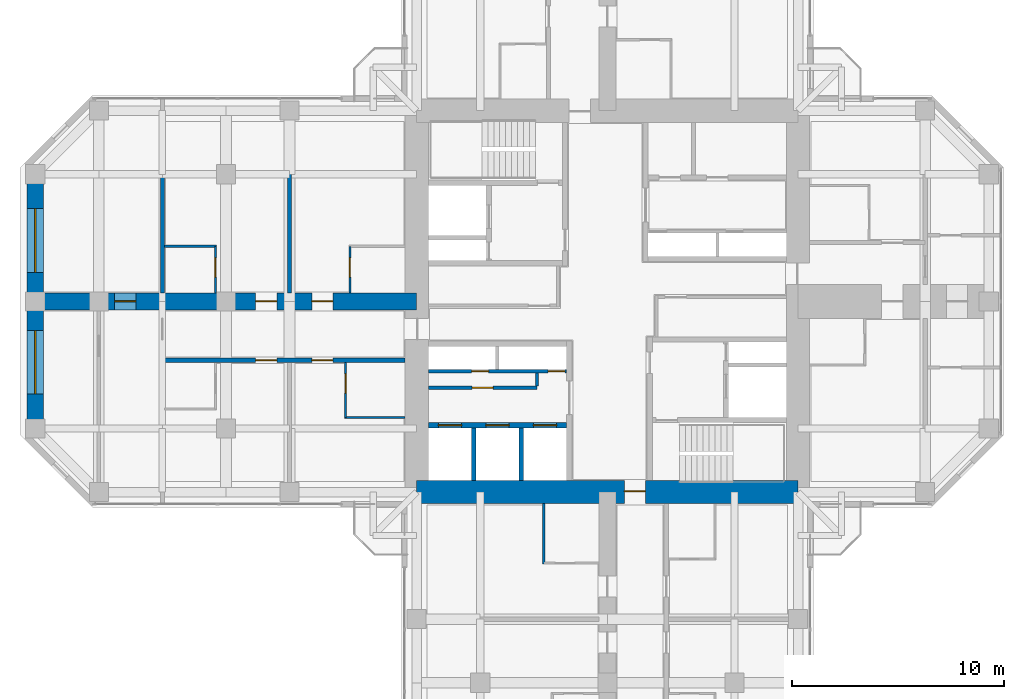
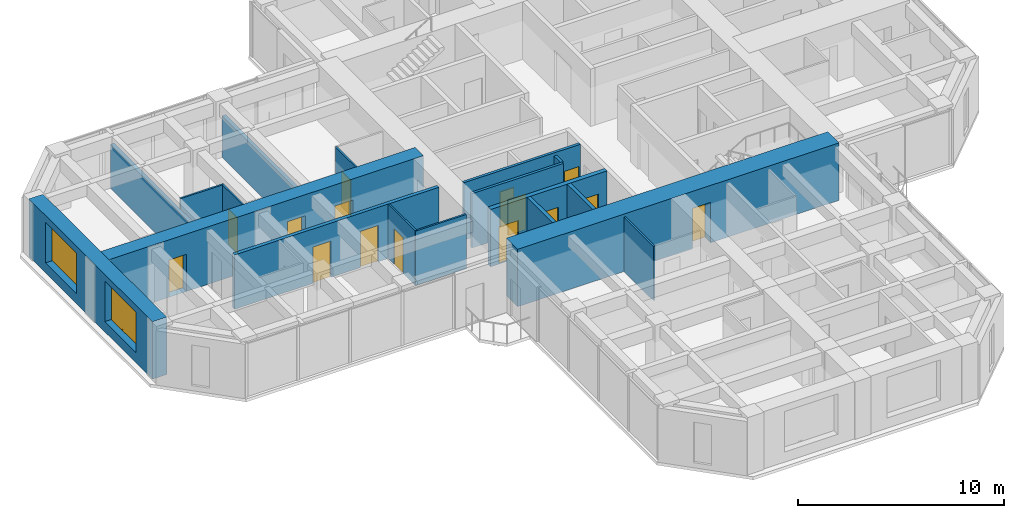
# One storey, part 9 of 14: 18 walls, 15 doors, 2 windows, 17 openings.
"""IFC4 building model written with IfcOpenShell, lengths in metres."""

import ifcopenshell
import ifcopenshell.guid

model = None  # the IFC model being written
_history = None  # IfcOwnerHistory: only IFC2X3 demands one
_inside = {}  # id of a spatial element -> (the spatial element, [elements in it])
_under = {}  # id of a project, library or spatial element -> (it, [spatial elements below it])
_declared = {}  # id of a project -> (the project, [libraries it declares])
_typed = {}  # id of a type object -> (the type object, [elements of that type])
_made_of = {}  # id of a material, layer set ... -> (it, [elements and type objects made of it])


def new_model(schema):
    """Start an empty IFC model of exactly this schema.

    Asked for "IFC4X3", IfcOpenShell would pick the latest addendum, in which some entities
    have other attributes; the version numbers below select the first issue.
    IFC2X3 requires an IfcOwnerHistory on every rooted entity: one is made here for all.
    """
    global model, _history
    if schema == "IFC4X3":
        model = ifcopenshell.file(schema_version=(4, 3, 0, 0))
    else:
        model = ifcopenshell.file(schema=schema)
    _inside.clear()
    _under.clear()
    _declared.clear()
    _typed.clear()
    _made_of.clear()
    _history = None
    if model.schema == "IFC2X3":
        org = make("IfcOrganization", Name="unknown")
        user = make(
            "IfcPersonAndOrganization",
            ThePerson=make("IfcPerson", FamilyName="unknown"),
            TheOrganization=org,
        )
        app = make(
            "IfcApplication",
            ApplicationDeveloper=org,
            Version="unknown",
            ApplicationFullName="unknown",
            ApplicationIdentifier="unknown",
        )
        _history = make(
            "IfcOwnerHistory",
            OwningUser=user,
            OwningApplication=app,
            ChangeAction="ADDED",
            CreationDate=0,
        )
    return model


def make(cls, **values):
    """One entity of the class cls with the attributes given. An attribute that is None is left unset."""
    return model.create_entity(
        cls, **{name: value for name, value in values.items() if value is not None}
    )


def rooted(cls, **values):
    """An entity with a GlobalId (a new one), such as an element, a storey or a relation."""
    return make(cls, GlobalId=ifcopenshell.guid.new(), OwnerHistory=_history, **values)


def si_unit(unit_type, name, prefix=None):
    """IfcSIUnit, for example si_unit("LENGTHUNIT", "METRE", prefix="MILLI")."""
    return make("IfcSIUnit", UnitType=unit_type, Prefix=prefix, Name=name)


def assignment(units):
    """IfcUnitAssignment: the units of a project."""
    return None if units is None else make("IfcUnitAssignment", Units=units)


def point(xyz):
    """IfcCartesianPoint."""
    return None if xyz is None else make("IfcCartesianPoint", Coordinates=xyz)


def direction(xyz):
    """IfcDirection."""
    return None if xyz is None else make("IfcDirection", DirectionRatios=xyz)


def frame(location, z_axis=None, x_axis=None):
    """IfcAxis2Placement3D, a coordinate frame: its origin and axes. An axis left out is left unset."""
    return make(
        "IfcAxis2Placement3D",
        Location=point(location),
        Axis=direction(z_axis),
        RefDirection=direction(x_axis),
    )


def frame_2d(location, x_axis=None):
    """IfcAxis2Placement2D, a coordinate frame in the plane: its origin and x axis."""
    return make(
        "IfcAxis2Placement2D", Location=point(location), RefDirection=direction(x_axis)
    )


def origin():
    """The frame at (0, 0, 0) with its axes left unset."""
    return frame((0.0, 0.0, 0.0))


def place(relative_to, where):
    """IfcLocalPlacement: puts the frame where relative to a parent placement (None: the world)."""
    return make(
        "IfcLocalPlacement", PlacementRelTo=relative_to, RelativePlacement=where
    )


def context(
    kind, dimensions, precision=None, world=None, true_north=None, identifier=None
):
    """IfcGeometricRepresentationContext, for example the 3D "Model" context."""
    return make(
        "IfcGeometricRepresentationContext",
        ContextIdentifier=identifier,
        ContextType=kind,
        CoordinateSpaceDimension=dimensions,
        Precision=precision,
        WorldCoordinateSystem=world,
        TrueNorth=true_north,
    )


def subcontext(parent, identifier, kind, view, scale=None):
    """IfcGeometricRepresentationSubContext, for example "Body" below "Model"."""
    return make(
        "IfcGeometricRepresentationSubContext",
        ContextIdentifier=identifier,
        ContextType=kind,
        ParentContext=parent,
        TargetScale=scale,
        TargetView=view,
    )


def project(units=None, contexts=None):
    """IfcProject with its units and contexts."""
    return rooted(
        "IfcProject",
        Name="project",
        RepresentationContexts=contexts,
        UnitsInContext=assignment(units),
    )


def spatial(cls, under=None, at=None, **own):
    """A site, building, storey or space (cls), placed at a placement, below another one or the project."""
    s = rooted(cls, ObjectPlacement=at, **own)
    if under is not None:
        _under.setdefault(under.id(), (under, []))[1].append(s)
    return s


def profile(cls, at=None, kind="AREA", **sizes):
    """A parametric profile (cls). Its sizes go by their IFC names, for example OverallWidth=200.0."""
    return make(cls, ProfileType=kind, Position=at, **sizes)


def rectangle(**sizes):
    """IfcRectangleProfileDef."""
    return profile("IfcRectangleProfileDef", **sizes)


def hollow_rectangle(**sizes):
    """IfcRectangleHollowProfileDef."""
    return profile("IfcRectangleHollowProfileDef", **sizes)


def extrude(swept, where, along, depth):
    """IfcExtrudedAreaSolid: the profile swept, set in the frame where, extruded along a direction by depth."""
    return make(
        "IfcExtrudedAreaSolid",
        SweptArea=swept,
        Position=where,
        ExtrudedDirection=direction(along),
        Depth=depth,
    )


def shape(context_of_items, identifier, shape_type, items):
    """IfcShapeRepresentation: the items that make up one representation, for example the "Body"."""
    return make(
        "IfcShapeRepresentation",
        ContextOfItems=context_of_items,
        RepresentationIdentifier=identifier,
        RepresentationType=shape_type,
        Items=items,
    )


def material(Name=None, Category=None):
    """IfcMaterial."""
    return make("IfcMaterial", Name=Name, Category=Category)


def layer(
    of_material, thickness, ventilated=None, Name=None, Category=None, Priority=None
):
    """IfcMaterialLayer: one layer of a wall or slab, of a material (None: an air gap)."""
    return make(
        "IfcMaterialLayer",
        Material=of_material,
        LayerThickness=thickness,
        IsVentilated=ventilated,
        Name=Name,
        Category=Category,
        Priority=Priority,
    )


def layer_set(layers, Name=None):
    """IfcMaterialLayerSet."""
    return make("IfcMaterialLayerSet", MaterialLayers=layers, LayerSetName=Name)


def constituent(of_material, Name=None, Category=None, fraction=None):
    """IfcMaterialConstituent: one of the materials an element consists of."""
    return make(
        "IfcMaterialConstituent",
        Name=Name,
        Material=of_material,
        Fraction=fraction,
        Category=Category,
    )


def constituent_set(constituents=None, Name=None):
    """IfcMaterialConstituentSet."""
    return make(
        "IfcMaterialConstituentSet", Name=Name, MaterialConstituents=constituents
    )


def made_of(thing, what):
    """Note that an element or type object is made of a material, layer set ...; save() writes the relation."""
    if what is not None:
        _made_of.setdefault(what.id(), (what, []))[1].append(thing)
    return thing


def type_object(cls, material=None, **own):
    """A type object (cls), such as IfcWallType, which elements share."""
    return made_of(rooted(cls, **own), material)


def element(
    cls,
    number,
    at=None,
    inside=None,
    cuts=None,
    type_object=None,
    material=None,
    context=None,
    identifier="Body",
    shape_type=None,
    held_by="IfcProductDefinitionShape",
    body=None,
    shapes=None,
    **own,
):
    """One element of the class cls, such as IfcWall. Its Tag is "e" and its number.

    at: its placement. inside: the storey or other place that contains it. cuts: it is an
    opening in that element (IfcRelVoidsElement). A single representation is given by context,
    identifier, shape_type and body (its items); several are given by shapes. held_by: the class
    of the entity that holds the representations. save() writes the other relations.
    """
    e = rooted(cls, Tag="e%d" % number, ObjectPlacement=at, **own)
    if body is not None:
        shapes = [shape(context, identifier, shape_type, body)]
    if shapes is not None:
        e.Representation = make(held_by, Representations=shapes)
    if inside is not None:
        _inside.setdefault(inside.id(), (inside, []))[1].append(e)
    if cuts is not None:
        rooted(
            "IfcRelVoidsElement", RelatingBuildingElement=cuts, RelatedOpeningElement=e
        )
    if type_object is not None:
        _typed.setdefault(type_object.id(), (type_object, []))[1].append(e)
    return made_of(e, material)


def fill(opening, filler):
    """IfcRelFillsElement: the door or window that sits in an opening."""
    return rooted(
        "IfcRelFillsElement",
        RelatingOpeningElement=opening,
        RelatedBuildingElement=filler,
    )


def aggregate(whole, parts):
    """IfcRelAggregates: a whole, such as a stair, and the parts it consists of."""
    return rooted("IfcRelAggregates", RelatingObject=whole, RelatedObjects=parts)


def save(model, path):
    """Write the relations noted so far, then the file.

    IfcRelAggregates (storeys below a building ...), IfcRelContainedInSpatialStructure (elements
    in a storey), IfcRelDefinesByType, IfcRelAssociatesMaterial and IfcRelDeclares: one each for
    every whole, place, type object, material and project.
    """
    for whole, parts in _under.values():
        aggregate(whole, parts)
    for where, things in _inside.values():
        rooted(
            "IfcRelContainedInSpatialStructure",
            RelatedElements=things,
            RelatingStructure=where,
        )
    for kind, things in _typed.values():
        rooted("IfcRelDefinesByType", RelatedObjects=things, RelatingType=kind)
    for what, things in _made_of.values():
        rooted("IfcRelAssociatesMaterial", RelatedObjects=things, RelatingMaterial=what)
    for by, libraries in _declared.values():
        rooted("IfcRelDeclares", RelatingContext=by, RelatedDefinitions=libraries)
    model.write(path)


model = new_model("IFC4")

# Units and contexts
model_context = context("Model", 3, precision=1e-05, world=origin(), true_north=direction((0.0, 1.0)))
body_context = subcontext(model_context, "Body", "Model", "MODEL_VIEW")
ifc_project = project(units=[si_unit("LENGTHUNIT", "METRE"), si_unit("AREAUNIT", "SQUARE_METRE"), si_unit("VOLUMEUNIT", "CUBIC_METRE"), si_unit("PLANEANGLEUNIT", "RADIAN"), si_unit("MASSUNIT", "GRAM", prefix="KILO")], contexts=[model_context])

# Site, building, storey
site_placement = place(None, origin())
site = spatial("IfcSite", under=ifc_project, at=site_placement, CompositionType="ELEMENT")
building_placement = place(site_placement, origin())
building = spatial("IfcBuilding", under=site, at=building_placement, Name="Torre Cruceta", CompositionType="ELEMENT")
storey_placement = place(building_placement, frame((0.0, 0.0, 176.300048828125)))
storey = spatial("IfcBuildingStorey", under=building, at=storey_placement, Name="L43", CompositionType="ELEMENT", Elevation=176.300048828125)

# Walls
ifc_material_1 = material(Name="Water-resistant plasterboard on steel studs", Category="steel")
ifc_layer_1 = layer(ifc_material_1, 0.10009765625)
ifc_layer_set_1 = layer_set([ifc_layer_1], Name="Water-resistant plasterboard on steel studs")
wall_type_1 = type_object("IfcWallType", Name="BATHROOM WALL 100", PredefinedType="PARTITIONING", material=ifc_layer_set_1)
for number, where, z_axis, x_axis, name in (
    (1, (-3.0, -9.550048828125, 0.0), (0.0, 0.0, 1.0), (0.0, -1.0, 0.0), "PT4 L43-S-U1RBB"),
    (2, (-9.550048828125, -5.47509765625, 0.0), (0.0, 0.0, 1.0), (-1.0, 0.0, 0.0), "PT4 L43-W-U1LBB"),
):
    element("IfcWall", number, at=place(storey_placement, frame(where, z_axis=z_axis, x_axis=x_axis)), inside=storey, type_object=wall_type_1, Name=name, PredefinedType="PARTITIONING", context=body_context, shape_type="SweptSolid", body=[
        extrude(rectangle(XDim=2.849853515625, YDim=0.10009765625, at=frame_2d((1.4248046875, 0.0))), origin(), (0.0, 0.0, 1.0), 3.219970703125),
    ])

# Wall, opening, door
wall_1_placement = place(storey_placement, frame((-12.35009765625, -2.875, 0.0), z_axis=(0.0, 0.0, 1.0), x_axis=(0.0, -1.0, 0.0)))
wall_1 = element("IfcWall", 3, at=wall_1_placement, inside=storey, type_object=wall_type_1, Name="PT4 L43-W-U1LBS", PredefinedType="PARTITIONING", context=body_context, shape_type="SweptSolid", body=[
    extrude(rectangle(XDim=2.60009765625, YDim=0.10009765625, at=frame_2d((1.300048828125, 0.0))), origin(), (0.0, 0.0, 1.0), 3.219970703125),
])
opening_1_placement = place(wall_1_placement, frame((0.550048828125, 0.0, 0.0)))
opening_1 = element("IfcOpeningElement", 4, at=opening_1_placement, cuts=wall_1, Name="Opening D7", PredefinedType="OPENING", context=body_context, shape_type="SweptSolid", body=[
    extrude(rectangle(XDim=0.89990234375, YDim=2.10009765625, at=frame_2d((0.449951171875, 1.050048828125))), frame((0.0, 0.06005859375, 0.0), z_axis=(0.0, -1.0, 0.0), x_axis=(1.0, 0.0, 0.0)), (0.0, 0.0, 1.0), 0.1201171875),
])
ifc_material_2 = material(Name="Timber door", Category="wood")
door_type_1 = type_object("IfcDoorType", Name="BATHROOM DOOR 900X2100", OperationType="SINGLE_SWING_LEFT", PredefinedType="DOOR", material=ifc_material_2)
door_1_placement = place(opening_1_placement, origin())
door_1 = element("IfcDoor", 5, at=door_1_placement, inside=storey, type_object=door_type_1, Name="D7 L43-W-U1LBS-D1", OperationType="SINGLE_SWING_LEFT", OverallHeight=2.10009765625, OverallWidth=0.89990234375, PredefinedType="DOOR", context=body_context, shape_type="SweptSolid", body=[
    extrude(rectangle(XDim=0.89990234375, YDim=2.10009765625, at=frame_2d((0.449951171875, 1.050048828125))), frame((0.0, 0.02490234375, 0.0), z_axis=(0.0, -1.0, 0.0), x_axis=(1.0, 0.0, 0.0)), (0.0, 0.0, 1.0), 0.050048828125),
])
fill(opening_1, door_1)

wall_2_placement = place(storey_placement, frame((-12.14990234375, 2.60009765625, 0.0), z_axis=(0.0, 0.0, 1.0), x_axis=(0.0, -1.0, 0.0)))
wall_2 = element("IfcWall", 6, at=wall_2_placement, inside=storey, type_object=wall_type_1, Name="PT4 L43-W-U1RBS", PredefinedType="PARTITIONING", context=body_context, shape_type="SweptSolid", body=[
    extrude(rectangle(XDim=2.2001953125, YDim=0.10009765625, at=frame_2d((1.10009765625, 0.0))), origin(), (0.0, 0.0, 1.0), 3.219970703125),
])
opening_2_placement = place(wall_2_placement, frame((0.550048828125, 0.0, 0.0)))
opening_2 = element("IfcOpeningElement", 7, at=opening_2_placement, cuts=wall_2, Name="Opening D7", PredefinedType="OPENING", context=body_context, shape_type="SweptSolid", body=[
    extrude(rectangle(XDim=0.89990234375, YDim=2.10009765625, at=frame_2d((0.449951171875, 1.050048828125))), frame((0.0, 0.06005859375, 0.0), z_axis=(0.0, -1.0, 0.0), x_axis=(1.0, 0.0, 0.0)), (0.0, 0.0, 1.0), 0.1201171875),
])
door_2_placement = place(opening_2_placement, origin())
door_2 = element("IfcDoor", 8, at=door_2_placement, inside=storey, type_object=door_type_1, Name="D7 L43-W-U1RBS-D1", OperationType="SINGLE_SWING_LEFT", OverallHeight=2.10009765625, OverallWidth=0.89990234375, PredefinedType="DOOR", context=body_context, shape_type="SweptSolid", body=[
    extrude(rectangle(XDim=0.89990234375, YDim=2.10009765625, at=frame_2d((0.449951171875, 1.050048828125))), frame((0.0, 0.02490234375, 0.0), z_axis=(0.0, -1.0, 0.0), x_axis=(1.0, 0.0, 0.0)), (0.0, 0.0, 1.0), 0.050048828125),
])
fill(opening_2, door_2)

# Wall
wall_3_placement = place(storey_placement, frame((-18.449951171875, 2.60009765625, 0.0), z_axis=(0.0, 0.0, 1.0), x_axis=(-1.0, 0.0, 0.0)))
element("IfcWall", 9, at=wall_3_placement, inside=storey, type_object=wall_type_1, Name="PT4 L43-W-U2RBB", PredefinedType="PARTITIONING", context=body_context, shape_type="SweptSolid", body=[
    extrude(rectangle(XDim=2.449951171875, YDim=0.10009765625, at=frame_2d((1.22509765625, 0.0))), origin(), (0.0, 0.0, 1.0), 3.219970703125),
])

# Wall, opening, door
wall_4_placement = place(storey_placement, frame((-18.5, 2.60009765625, 0.0), z_axis=(0.0, 0.0, 1.0), x_axis=(0.0, -1.0, 0.0)))
wall_4 = element("IfcWall", 10, at=wall_4_placement, inside=storey, type_object=wall_type_1, Name="PT4 L43-W-U2RBS", PredefinedType="PARTITIONING", context=body_context, shape_type="SweptSolid", body=[
    extrude(rectangle(XDim=2.2001953125, YDim=0.10009765625, at=frame_2d((1.10009765625, 0.0))), origin(), (0.0, 0.0, 1.0), 3.219970703125),
])
opening_3_placement = place(wall_4_placement, frame((0.550048828125, 0.0, 0.0)))
opening_3 = element("IfcOpeningElement", 11, at=opening_3_placement, cuts=wall_4, Name="Opening D7", PredefinedType="OPENING", context=body_context, shape_type="SweptSolid", body=[
    extrude(rectangle(XDim=0.89990234375, YDim=2.10009765625, at=frame_2d((0.449951171875, 1.050048828125))), frame((0.0, 0.06005859375, 0.0), z_axis=(0.0, -1.0, 0.0), x_axis=(1.0, 0.0, 0.0)), (0.0, 0.0, 1.0), 0.1201171875),
])
door_3_placement = place(opening_3_placement, frame((0.89990234375, 0.0, 0.0), z_axis=(0.0, 0.0, 1.0), x_axis=(-1.0, 0.0, 0.0)))
door_3 = element("IfcDoor", 12, at=door_3_placement, inside=storey, type_object=door_type_1, Name="D7 L43-W-U2RBS-D1", OperationType="SINGLE_SWING_RIGHT", OverallHeight=2.10009765625, OverallWidth=0.89990234375, PredefinedType="DOOR", context=body_context, shape_type="SweptSolid", body=[
    extrude(rectangle(XDim=0.89990234375, YDim=2.10009765625, at=frame_2d((0.449951171875, 1.050048828125))), frame((0.0, 0.025146484375, 0.0), z_axis=(0.0, -1.0, 0.0), x_axis=(1.0, 0.0, 0.0)), (0.0, 0.0, 1.0), 0.050048828125),
])
fill(opening_3, door_3)

# Wall, openings, doors
ifc_material_3 = material(Name="Concrete G60 (fck 60 MPa)", Category="concrete")
ifc_layer_2 = layer(ifc_material_3, 0.25)
ifc_layer_set_2 = layer_set([ifc_layer_2], Name="Concrete G60 (fck 60 MPa)")
wall_type_2 = type_object("IfcWallType", Name="CORE INNER WALL 250 G60", PredefinedType="SHEAR", material=ifc_layer_set_2)
wall_5_placement = place(storey_placement, frame((-1.925048828125, -5.85009765625, 0.0), z_axis=(0.0, 0.0, 1.0), x_axis=(-1.0, 0.0, 0.0)))
wall_5 = element("IfcWall", 13, at=wall_5_placement, inside=storey, type_object=wall_type_2, Name="CW4 L43 SW-LV", PredefinedType="SHEAR", context=body_context, shape_type="SweptSolid", body=[
    extrude(rectangle(XDim=6.52490234375, YDim=0.25, at=frame_2d((3.262451171875, 0.0))), origin(), (0.0, 0.0, 1.0), 3.39990234375),
])
opening_4_placement = place(wall_5_placement, frame((0.470947265625, 0.0, 0.0)))
opening_4 = element("IfcOpeningElement", 14, at=opening_4_placement, cuts=wall_5, Name="Opening LD1", PredefinedType="OPENING", context=body_context, shape_type="SweptSolid", body=[
    extrude(rectangle(XDim=1.10009765625, YDim=2.199951171875, at=frame_2d((0.550048828125, 1.10009765625))), frame((0.0, 0.135009765625, 0.0), z_axis=(0.0, -1.0, 0.0), x_axis=(1.0, 0.0, 0.0)), (0.0, 0.0, 1.0), 0.27001953125),
])
opening_5_placement = place(wall_5_placement, frame((2.71240234375, 0.0, 0.0)))
opening_5 = element("IfcOpeningElement", 15, at=opening_5_placement, cuts=wall_5, Name="Opening LD1", PredefinedType="OPENING", context=body_context, shape_type="SweptSolid", body=[
    extrude(rectangle(XDim=1.10009765625, YDim=2.199951171875, at=frame_2d((0.550048828125, 1.10009765625))), frame((0.0, 0.135009765625, 0.0), z_axis=(0.0, -1.0, 0.0), x_axis=(1.0, 0.0, 0.0)), (0.0, 0.0, 1.0), 0.27001953125),
])
opening_6_placement = place(wall_5_placement, frame((4.9541015625, 0.0, 0.0)))
opening_6 = element("IfcOpeningElement", 16, at=opening_6_placement, cuts=wall_5, Name="Opening LD1", PredefinedType="OPENING", context=body_context, shape_type="SweptSolid", body=[
    extrude(rectangle(XDim=1.10009765625, YDim=2.199951171875, at=frame_2d((0.550048828125, 1.10009765625))), frame((0.0, 0.135009765625, 0.0), z_axis=(0.0, -1.0, 0.0), x_axis=(1.0, 0.0, 0.0)), (0.0, 0.0, 1.0), 0.27001953125),
])
ifc_material_4 = material(Name="Stainless steel 1.4401", Category="steel")
door_type_2 = type_object("IfcDoorType", Name="LIFT LANDING DOOR 1100X2200", OperationType="DOUBLE_DOOR_SLIDING", PredefinedType="DOOR", material=ifc_material_4)
door_4_placement = place(opening_4_placement, origin())
door_4 = element("IfcDoor", 17, at=door_4_placement, inside=storey, type_object=door_type_2, Name="Lift landing door R1", OperationType="DOUBLE_DOOR_SLIDING", OverallHeight=2.199951171875, OverallWidth=1.10009765625, PredefinedType="DOOR", context=body_context, shape_type="SweptSolid", body=[
    extrude(rectangle(XDim=1.10009765625, YDim=2.199951171875, at=frame_2d((0.550048828125, 1.10009765625))), frame((0.0, 0.02490234375, 0.0), z_axis=(0.0, -1.0, 0.0), x_axis=(1.0, 0.0, 0.0)), (0.0, 0.0, 1.0), 0.050048828125),
])
fill(opening_4, door_4)
door_5_placement = place(opening_5_placement, origin())
door_5 = element("IfcDoor", 18, at=door_5_placement, inside=storey, type_object=door_type_2, Name="Lift landing door R2", OperationType="DOUBLE_DOOR_SLIDING", OverallHeight=2.199951171875, OverallWidth=1.10009765625, PredefinedType="DOOR", context=body_context, shape_type="SweptSolid", body=[
    extrude(rectangle(XDim=1.10009765625, YDim=2.199951171875, at=frame_2d((0.550048828125, 1.10009765625))), frame((0.0, 0.02490234375, 0.0), z_axis=(0.0, -1.0, 0.0), x_axis=(1.0, 0.0, 0.0)), (0.0, 0.0, 1.0), 0.050048828125),
])
fill(opening_5, door_5)
door_6_placement = place(opening_6_placement, origin())
door_6 = element("IfcDoor", 19, at=door_6_placement, inside=storey, type_object=door_type_2, Name="Lift landing door R3", OperationType="DOUBLE_DOOR_SLIDING", OverallHeight=2.199951171875, OverallWidth=1.10009765625, PredefinedType="DOOR", context=body_context, shape_type="SweptSolid", body=[
    extrude(rectangle(XDim=1.10009765625, YDim=2.199951171875, at=frame_2d((0.550048828125, 1.10009765625))), frame((0.0, 0.02490234375, 0.0), z_axis=(0.0, -1.0, 0.0), x_axis=(1.0, 0.0, 0.0)), (0.0, 0.0, 1.0), 0.050048828125),
])
fill(opening_6, door_6)

# Wall, opening, door
ifc_material_5 = material(Name="Concrete G60 (fck 60 MPa)", Category="concrete")
ifc_layer_3 = layer(ifc_material_5, 1.10009765625)
ifc_layer_set_3 = layer_set([ifc_layer_3], Name="Concrete G60 (fck 60 MPa)")
wall_type_3 = type_object("IfcWallType", Name="CORE WALL 1100 G60", PredefinedType="SHEAR", material=ifc_layer_set_3)
wall_6_placement = place(storey_placement, frame((-9.0, -9.0, 0.0), z_axis=(0.0, 0.0, 1.0), x_axis=(1.0, 0.0, 0.0)))
wall_6 = element("IfcWall", 20, at=wall_6_placement, inside=storey, type_object=wall_type_3, Name="CW2 L43 CW-S", PredefinedType="SHEAR", context=body_context, shape_type="SweptSolid", body=[
    extrude(rectangle(XDim=18.0, YDim=1.10009765625, at=frame_2d((9.0, 0.0))), origin(), (0.0, 0.0, 1.0), 3.39990234375),
])
opening_7_placement = place(wall_6_placement, frame((9.800048828125, 0.0, 0.0)))
opening_7 = element("IfcOpeningElement", 21, at=opening_7_placement, cuts=wall_6, Name="Opening D4", PredefinedType="OPENING", context=body_context, shape_type="SweptSolid", body=[
    extrude(rectangle(XDim=1.0, YDim=2.39990234375, at=frame_2d((0.5, 1.199951171875))), frame((0.0, 0.56005859375, 0.0), z_axis=(0.0, -1.0, 0.0), x_axis=(1.0, 0.0, 0.0)), (0.0, 0.0, 1.0), 1.1201171875),
])
ifc_material_6 = material(Name="Steel DX51D", Category="steel")
ifc_constituent_1 = constituent(ifc_material_6, Name="Leaf and frame")
ifc_material_7 = material(Name="Polyester powder coating", Category="paint")
ifc_constituent_2 = constituent(ifc_material_7, Name="Finish")
ifc_constituent_set_1 = constituent_set(constituents=[ifc_constituent_1, ifc_constituent_2], Name="Steel fire door")
door_type_3 = type_object("IfcDoorType", Name="CORE ARM DOOR 1000X2400", OperationType="SINGLE_SWING_RIGHT", PredefinedType="DOOR", material=ifc_constituent_set_1)
door_7_placement = place(opening_7_placement, origin())
door_7 = element("IfcDoor", 22, at=door_7_placement, inside=storey, type_object=door_type_3, Name="D4 L43 CW-S", OperationType="SINGLE_SWING_RIGHT", OverallHeight=2.39990234375, OverallWidth=1.0, PredefinedType="DOOR", context=body_context, shape_type="SweptSolid", body=[
    extrude(rectangle(XDim=1.0, YDim=2.39990234375, at=frame_2d((0.5, 1.199951171875))), frame((0.0, 0.05517578125, 0.0), z_axis=(0.0, -1.0, 0.0), x_axis=(1.0, 0.0, 0.0)), (0.0, 0.0, 1.0), 0.050048828125),
])
fill(opening_7, door_7)

# Wall, openings, doors
ifc_material_8 = material(Name="Concrete G25 (fck 25 MPa)", Category="concrete")
ifc_layer_4 = layer(ifc_material_8, 0.199951171875)
ifc_layer_set_4 = layer_set([ifc_layer_4], Name="Concrete G25 (fck 25 MPa)")
wall_type_4 = type_object("IfcWallType", Name="CORRIDOR WALL 200", PredefinedType="SOLIDWALL", material=ifc_layer_set_4)
wall_7_placement = place(storey_placement, frame((-9.550048828125, -2.77490234375, 0.0), z_axis=(0.0, 0.0, 1.0), x_axis=(-1.0, 0.0, 0.0)))
wall_7 = element("IfcWall", 23, at=wall_7_placement, inside=storey, type_object=wall_type_4, Name="PT3 L43-W-CL", PredefinedType="SOLIDWALL", context=body_context, shape_type="SweptSolid", body=[
    extrude(rectangle(XDim=11.449951171875, YDim=0.199951171875, at=frame_2d((5.72509765625, 0.0))), origin(), (0.0, 0.0, 1.0), 3.219970703125),
])
opening_8_placement = place(wall_7_placement, frame((3.39990234375, 0.0, 0.0)))
opening_8 = element("IfcOpeningElement", 24, at=opening_8_placement, cuts=wall_7, Name="Opening D6", PredefinedType="OPENING", context=body_context, shape_type="SweptSolid", body=[
    extrude(rectangle(XDim=1.0, YDim=2.14990234375, at=frame_2d((0.5, 1.074951171875))), frame((0.0, 0.10986328125, 0.0), z_axis=(0.0, -1.0, 0.0), x_axis=(1.0, 0.0, 0.0)), (0.0, 0.0, 1.0), 0.219970703125),
])
opening_9_placement = place(wall_7_placement, frame((6.050048828125, 0.0, 0.0)))
opening_9 = element("IfcOpeningElement", 25, at=opening_9_placement, cuts=wall_7, Name="Opening D6", PredefinedType="OPENING", context=body_context, shape_type="SweptSolid", body=[
    extrude(rectangle(XDim=1.0, YDim=2.14990234375, at=frame_2d((0.5, 1.074951171875))), frame((0.0, 0.10986328125, 0.0), z_axis=(0.0, -1.0, 0.0), x_axis=(1.0, 0.0, 0.0)), (0.0, 0.0, 1.0), 0.219970703125),
])
ifc_material_9 = material(Name="Timber fire door", Category="wood")
door_type_4 = type_object("IfcDoorType", Name="UNIT ENTRANCE DOOR 1000X2150", OperationType="SINGLE_SWING_LEFT", PredefinedType="DOOR", material=ifc_material_9)
door_8_placement = place(opening_8_placement, origin())
door_8 = element("IfcDoor", 26, at=door_8_placement, inside=storey, type_object=door_type_4, Name="D6 L43-W-CL-D1", OperationType="SINGLE_SWING_LEFT", OverallHeight=2.14990234375, OverallWidth=1.0, PredefinedType="DOOR", context=body_context, shape_type="SweptSolid", body=[
    extrude(rectangle(XDim=1.0, YDim=2.14990234375, at=frame_2d((0.5, 1.074951171875))), frame((0.0, 0.02490234375, 0.0), z_axis=(0.0, -1.0, 0.0), x_axis=(1.0, 0.0, 0.0)), (0.0, 0.0, 1.0), 0.050048828125),
])
fill(opening_8, door_8)
door_9_placement = place(opening_9_placement, origin())
door_9 = element("IfcDoor", 27, at=door_9_placement, inside=storey, type_object=door_type_4, Name="D6 L43-W-CL-D2", OperationType="SINGLE_SWING_LEFT", OverallHeight=2.14990234375, OverallWidth=1.0, PredefinedType="DOOR", context=body_context, shape_type="SweptSolid", body=[
    extrude(rectangle(XDim=1.0, YDim=2.14990234375, at=frame_2d((0.5, 1.074951171875))), frame((0.0, 0.02490234375, 0.0), z_axis=(0.0, -1.0, 0.0), x_axis=(1.0, 0.0, 0.0)), (0.0, 0.0, 1.0), 0.050048828125),
])
fill(opening_9, door_9)

# Walls
ifc_material_10 = material(Name="Concrete G35 (fck 35 MPa)", Category="concrete")
ifc_layer_5 = layer(ifc_material_10, 0.199951171875)
ifc_layer_set_5 = layer_set([ifc_layer_5], Name="Concrete G35 (fck 35 MPa)")
wall_type_5 = type_object("IfcWallType", Name="LIFT SHAFT WALL 200", PredefinedType="PARTITIONING", material=ifc_layer_set_5)
for number, where, z_axis, x_axis, name in (
    (28, (-4.066650390625, -5.97509765625, 0.0), (0.0, 0.0, 1.0), (0.0, -1.0, 0.0), "SW1 L43 SW-LS1"),
    (29, (-6.308349609375, -5.97509765625, 0.0), (0.0, 0.0, 1.0), (0.0, -1.0, 0.0), "SW1 L43 SW-LS2"),
):
    element("IfcWall", number, at=place(storey_placement, frame(where, z_axis=z_axis, x_axis=x_axis)), inside=storey, type_object=wall_type_5, Name=name, PredefinedType="PARTITIONING", context=body_context, shape_type="SweptSolid", body=[
        extrude(rectangle(XDim=2.474853515625, YDim=0.199951171875, at=frame_2d((1.2373046875, 0.0))), origin(), (0.0, 0.0, 1.0), 3.39990234375),
    ])

# Wall, openings, windows
ifc_material_11 = material(Name="Concrete G60 (fck 60 MPa)", Category="concrete")
ifc_layer_6 = layer(ifc_material_11, 0.800048828125)
ifc_layer_set_6 = layer_set([ifc_layer_6], Name="Concrete G60 (fck 60 MPa)")
wall_type_6 = type_object("IfcWallType", Name="NOSE WALL 800 G60", PredefinedType="SHEAR", material=ifc_layer_set_6)
wall_8_placement = place(storey_placement, frame((-27.0, 6.0, 0.0), z_axis=(0.0, 0.0, 1.0), x_axis=(0.0, -1.0, 0.0)))
wall_8 = element("IfcWall", 30, at=wall_8_placement, inside=storey, type_object=wall_type_6, Name="NW2 nose wall L43 W", PredefinedType="SHEAR", context=body_context, shape_type="SweptSolid", body=[
    extrude(rectangle(XDim=12.0, YDim=0.800048828125, at=frame_2d((6.0, 0.0))), origin(), (0.0, 0.0, 1.0), 3.39990234375),
])
opening_10_placement = place(wall_8_placement, frame((1.625, 0.0, 0.60009765625)))
opening_10 = element("IfcOpeningElement", 31, at=opening_10_placement, cuts=wall_8, Name="Opening WN6", PredefinedType="OPENING", context=body_context, shape_type="SweptSolid", body=[
    extrude(rectangle(XDim=3.0, YDim=2.39990234375, at=frame_2d((1.5, 1.199951171875))), frame((0.0, 0.409912109375, 0.0), z_axis=(0.0, -1.0, 0.0), x_axis=(1.0, 0.0, 0.0)), (0.0, 0.0, 1.0), 0.820068359375),
])
opening_11_placement = place(wall_8_placement, frame((7.375, 0.0, 0.60009765625)))
opening_11 = element("IfcOpeningElement", 32, at=opening_11_placement, cuts=wall_8, Name="Opening WN6", PredefinedType="OPENING", context=body_context, shape_type="SweptSolid", body=[
    extrude(rectangle(XDim=3.0, YDim=2.39990234375, at=frame_2d((1.5, 1.199951171875))), frame((0.0, 0.409912109375, 0.0), z_axis=(0.0, -1.0, 0.0), x_axis=(1.0, 0.0, 0.0)), (0.0, 0.0, 1.0), 0.820068359375),
])
ifc_material_12 = material(Name="Aluminium window frame", Category="aluminium")
ifc_constituent_3 = constituent(ifc_material_12, Name="Frame")
ifc_material_13 = material(Name="Laminated insulating glass unit, low-iron clear", Category="glass")
ifc_constituent_4 = constituent(ifc_material_13, Name="Glazing")
ifc_constituent_set_2 = constituent_set(constituents=[ifc_constituent_3, ifc_constituent_4], Name="Aluminium window")
window_type = type_object("IfcWindowType", Name="NOSE WALL WINDOW 3000X2400", PartitioningType="SINGLE_PANEL", PredefinedType="WINDOW", material=ifc_constituent_set_2)
window_1_placement = place(opening_10_placement, origin())
window_1 = element("IfcWindow", 33, at=window_1_placement, inside=storey, type_object=window_type, Name="WN6 L43 W 1", OverallHeight=2.39990234375, OverallWidth=3.0, PartitioningType="SINGLE_PANEL", PredefinedType="WINDOW", context=body_context, shape_type="SweptSolid", body=[
    extrude(hollow_rectangle(XDim=3.0, YDim=2.39990234375, WallThickness=0.06005859375, at=frame_2d((1.5, 1.199951171875))), frame((0.0, 0.030029296875, 0.0), z_axis=(0.0, -1.0, 0.0), x_axis=(1.0, 0.0, 0.0)), (0.0, 0.0, 1.0), 0.06005859375),
    extrude(rectangle(XDim=2.87890625, YDim=2.27880859375, at=frame_2d((1.5, 1.199951171875))), frame((0.0, 0.030029296875, 0.0), z_axis=(0.0, -1.0, 0.0), x_axis=(1.0, 0.0, 0.0)), (0.0, 0.0, 1.0), 0.06005859375),
])
fill(opening_10, window_1)
window_2_placement = place(opening_11_placement, origin())
window_2 = element("IfcWindow", 34, at=window_2_placement, inside=storey, type_object=window_type, Name="WN6 L43 W 2", OverallHeight=2.39990234375, OverallWidth=3.0, PartitioningType="SINGLE_PANEL", PredefinedType="WINDOW", context=body_context, shape_type="SweptSolid", body=[
    extrude(hollow_rectangle(XDim=3.0, YDim=2.39990234375, WallThickness=0.06005859375, at=frame_2d((1.5, 1.199951171875))), frame((0.0, 0.030029296875, 0.0), z_axis=(0.0, -1.0, 0.0), x_axis=(1.0, 0.0, 0.0)), (0.0, 0.0, 1.0), 0.06005859375),
    extrude(rectangle(XDim=2.87890625, YDim=2.27880859375, at=frame_2d((1.5, 1.199951171875))), frame((0.0, 0.030029296875, 0.0), z_axis=(0.0, -1.0, 0.0), x_axis=(1.0, 0.0, 0.0)), (0.0, 0.0, 1.0), 0.06005859375),
])
fill(opening_11, window_2)

# Wall, opening, door
ifc_material_14 = material(Name="Plasterboard on steel studs", Category="steel")
ifc_layer_7 = layer(ifc_material_14, 0.14990234375)
ifc_layer_set_7 = layer_set([ifc_layer_7], Name="Plasterboard on steel studs")
wall_type_7 = type_object("IfcWallType", Name="PARTITION 150", PredefinedType="PARTITIONING", material=ifc_layer_set_7)
wall_9_placement = place(storey_placement, frame((-3.324951171875, -4.074951171875, 0.0), z_axis=(0.0, 0.0, 1.0), x_axis=(-1.0, 0.0, 0.0)))
wall_9 = element("IfcWall", 35, at=wall_9_placement, inside=storey, type_object=wall_type_7, Name="PT1 L43-CORE-SW-CUPBOARD", PredefinedType="PARTITIONING", context=body_context, shape_type="SweptSolid", body=[
    extrude(rectangle(XDim=5.125, YDim=0.14990234375, at=frame_2d((2.5625, 0.0))), origin(), (0.0, 0.0, 1.0), 3.219970703125),
])
opening_12_placement = place(wall_9_placement, frame((2.0625, 0.0, 0.0)))
opening_12 = element("IfcOpeningElement", 36, at=opening_12_placement, cuts=wall_9, Name="Opening D19", PredefinedType="OPENING", context=body_context, shape_type="SweptSolid", body=[
    extrude(rectangle(XDim=1.0, YDim=2.10009765625, at=frame_2d((0.5, 1.050048828125))), frame((0.0, 0.0849609375, 0.0), z_axis=(0.0, -1.0, 0.0), x_axis=(1.0, 0.0, 0.0)), (0.0, 0.0, 1.0), 0.169921875),
])
ifc_material_15 = material(Name="Timber fire door", Category="wood")
door_type_5 = type_object("IfcDoorType", Name="CUPBOARD PAIR OF DOORS 1000X2100", OperationType="DOUBLE_DOOR_SINGLE_SWING", PredefinedType="DOOR", material=ifc_material_15)
door_10_placement = place(opening_12_placement, frame((1.0, 0.0, 0.0), z_axis=(0.0, 0.0, 1.0), x_axis=(-1.0, 0.0, 0.0)))
door_10 = element("IfcDoor", 37, at=door_10_placement, inside=storey, type_object=door_type_5, Name="D19 L43-CORE-SW-CUPBOARD-D1", OperationType="DOUBLE_DOOR_SINGLE_SWING", OverallHeight=2.10009765625, OverallWidth=1.0, PredefinedType="DOOR", context=body_context, shape_type="SweptSolid", body=[
    extrude(rectangle(XDim=1.0, YDim=2.10009765625, at=frame_2d((0.5, 1.050048828125))), frame((0.0, 0.025146484375, 0.0), z_axis=(0.0, -1.0, 0.0), x_axis=(1.0, 0.0, 0.0)), (0.0, 0.0, 1.0), 0.050048828125),
])
fill(opening_12, door_10)

# Wall
wall_10_placement = place(storey_placement, frame((-3.324951171875, -3.375, 0.0), z_axis=(0.0, 0.0, 1.0), x_axis=(0.0, -1.0, 0.0)))
element("IfcWall", 38, at=wall_10_placement, inside=storey, type_object=wall_type_7, Name="PT1 L43-CORE-SW-CUPBOARDE", PredefinedType="PARTITIONING", context=body_context, shape_type="SweptSolid", body=[
    extrude(rectangle(XDim=0.625, YDim=0.14990234375, at=frame_2d((0.3125, 0.0))), origin(), (0.0, 0.0, 1.0), 3.219970703125),
])

# Wall, openings, doors
ifc_material_16 = material(Name="Concrete block masonry", Category="masonry")
ifc_layer_8 = layer(ifc_material_16, 0.14990234375)
ifc_layer_set_8 = layer_set([ifc_layer_8], Name="Concrete block masonry")
wall_type_8 = type_object("IfcWallType", Name="RISER WALL 150", PredefinedType="PARTITIONING", material=ifc_layer_set_8)
wall_11_placement = place(storey_placement, frame((-1.925048828125, -3.300048828125, 0.0), z_axis=(0.0, 0.0, 1.0), x_axis=(-1.0, 0.0, 0.0)))
wall_11 = element("IfcWall", 39, at=wall_11_placement, inside=storey, type_object=wall_type_8, Name="SW7 L43 SW-RV", PredefinedType="PARTITIONING", context=body_context, shape_type="SweptSolid", body=[
    extrude(rectangle(XDim=6.52490234375, YDim=0.14990234375, at=frame_2d((3.262451171875, 0.0))), origin(), (0.0, 0.0, 1.0), 3.39990234375),
])
opening_13_placement = place(wall_11_placement, frame((0.074951171875, 0.0, 0.0)))
opening_13 = element("IfcOpeningElement", 40, at=opening_13_placement, cuts=wall_11, Name="Opening D5", PredefinedType="OPENING", context=body_context, shape_type="SweptSolid", body=[
    extrude(rectangle(XDim=0.800048828125, YDim=2.10009765625, at=frame_2d((0.39990234375, 1.050048828125))), frame((0.0, 0.0849609375, 0.0), z_axis=(0.0, -1.0, 0.0), x_axis=(1.0, 0.0, 0.0)), (0.0, 0.0, 1.0), 0.169921875),
])
opening_14_placement = place(wall_11_placement, frame((3.675048828125, 0.0, 0.0)))
opening_14 = element("IfcOpeningElement", 41, at=opening_14_placement, cuts=wall_11, Name="Opening D5", PredefinedType="OPENING", context=body_context, shape_type="SweptSolid", body=[
    extrude(rectangle(XDim=0.800048828125, YDim=2.10009765625, at=frame_2d((0.39990234375, 1.050048828125))), frame((0.0, 0.0849609375, 0.0), z_axis=(0.0, -1.0, 0.0), x_axis=(1.0, 0.0, 0.0)), (0.0, 0.0, 1.0), 0.169921875),
])
ifc_material_17 = material(Name="Steel DX51D", Category="steel")
ifc_constituent_5 = constituent(ifc_material_17, Name="Leaf and frame")
ifc_material_18 = material(Name="Polyester powder coating", Category="paint")
ifc_constituent_6 = constituent(ifc_material_18, Name="Finish")
ifc_constituent_set_3 = constituent_set(constituents=[ifc_constituent_5, ifc_constituent_6], Name="Steel fire door")
door_type_6 = type_object("IfcDoorType", Name="RISER ACCESS DOOR 800X2100", OperationType="SINGLE_SWING_LEFT", PredefinedType="DOOR", material=ifc_constituent_set_3)
door_11_placement = place(opening_13_placement, frame((0.800048828125, 0.0, 0.0), z_axis=(0.0, 0.0, 1.0), x_axis=(-1.0, 0.0, 0.0)))
door_11 = element("IfcDoor", 42, at=door_11_placement, inside=storey, type_object=door_type_6, Name="D5 L43 SW-RISER1", OperationType="SINGLE_SWING_RIGHT", OverallHeight=2.10009765625, OverallWidth=0.800048828125, PredefinedType="DOOR", context=body_context, shape_type="SweptSolid", body=[
    extrude(rectangle(XDim=0.800048828125, YDim=2.10009765625, at=frame_2d((0.400146484375, 1.050048828125))), frame((0.0, 0.025146484375, 0.0), z_axis=(0.0, -1.0, 0.0), x_axis=(1.0, 0.0, 0.0)), (0.0, 0.0, 1.0), 0.050048828125),
])
fill(opening_13, door_11)
door_12_placement = place(opening_14_placement, frame((0.800048828125, 0.0, 0.0), z_axis=(0.0, 0.0, 1.0), x_axis=(-1.0, 0.0, 0.0)))
door_12 = element("IfcDoor", 43, at=door_12_placement, inside=storey, type_object=door_type_6, Name="D5 L43 SW-RISER2", OperationType="SINGLE_SWING_RIGHT", OverallHeight=2.10009765625, OverallWidth=0.800048828125, PredefinedType="DOOR", context=body_context, shape_type="SweptSolid", body=[
    extrude(rectangle(XDim=0.800048828125, YDim=2.10009765625, at=frame_2d((0.400146484375, 1.050048828125))), frame((0.0, 0.025146484375, 0.0), z_axis=(0.0, -1.0, 0.0), x_axis=(1.0, 0.0, 0.0)), (0.0, 0.0, 1.0), 0.050048828125),
])
fill(opening_14, door_12)

ifc_material_19 = material(Name="Concrete G60 (fck 60 MPa)", Category="concrete")
ifc_layer_9 = layer(ifc_material_19, 0.800048828125)
ifc_layer_set_9 = layer_set([ifc_layer_9], Name="Concrete G60 (fck 60 MPa)")
wall_type_9 = type_object("IfcWallType", Name="SPINE WALL 800 G60", PredefinedType="SHEAR", material=ifc_layer_set_9)
wall_12_placement = place(storey_placement, frame((-9.0, 0.0, 0.0), z_axis=(0.0, 0.0, 1.0), x_axis=(-1.0, 0.0, 0.0)))
wall_12 = element("IfcWall", 44, at=wall_12_placement, inside=storey, type_object=wall_type_9, Name="SW4 spine wall L43 W", PredefinedType="SHEAR", context=body_context, shape_type="SweptSolid", body=[
    extrude(rectangle(XDim=18.0, YDim=0.800048828125, at=frame_2d((9.0, 0.0))), origin(), (0.0, 0.0, 1.0), 3.39990234375),
])
opening_15_placement = place(wall_12_placement, frame((3.949951171875, 0.0, 0.0)))
opening_15 = element("IfcOpeningElement", 45, at=opening_15_placement, cuts=wall_12, Name="Opening D6", PredefinedType="OPENING", context=body_context, shape_type="SweptSolid", body=[
    extrude(rectangle(XDim=1.0, YDim=2.14990234375, at=frame_2d((0.5, 1.074951171875))), frame((0.0, 0.409912109375, 0.0), z_axis=(0.0, -1.0, 0.0), x_axis=(1.0, 0.0, 0.0)), (0.0, 0.0, 1.0), 0.820068359375),
])
opening_16_placement = place(wall_12_placement, frame((6.60009765625, 0.0, 0.0)))
opening_16 = element("IfcOpeningElement", 46, at=opening_16_placement, cuts=wall_12, Name="Opening D6", PredefinedType="OPENING", context=body_context, shape_type="SweptSolid", body=[
    extrude(rectangle(XDim=1.0, YDim=2.14990234375, at=frame_2d((0.5, 1.074951171875))), frame((0.0, 0.409912109375, 0.0), z_axis=(0.0, -1.0, 0.0), x_axis=(1.0, 0.0, 0.0)), (0.0, 0.0, 1.0), 0.820068359375),
])
opening_17_placement = place(wall_12_placement, frame((13.25, 0.0, 0.0)))
opening_17 = element("IfcOpeningElement", 47, at=opening_17_placement, cuts=wall_12, Name="Opening D14", PredefinedType="OPENING", context=body_context, shape_type="SweptSolid", body=[
    extrude(rectangle(XDim=1.0, YDim=2.199951171875, at=frame_2d((0.5, 1.10009765625))), frame((0.0, 0.409912109375, 0.0), z_axis=(0.0, -1.0, 0.0), x_axis=(1.0, 0.0, 0.0)), (0.0, 0.0, 1.0), 0.820068359375),
])
ifc_material_20 = material(Name="Steel DX51D", Category="steel")
ifc_constituent_7 = constituent(ifc_material_20, Name="Leaf and frame")
ifc_material_21 = material(Name="Polyester powder coating", Category="paint")
ifc_constituent_8 = constituent(ifc_material_21, Name="Finish")
ifc_material_22 = material(Name="Fire-resisting glass", Category="glass")
ifc_constituent_9 = constituent(ifc_material_22, Name="Vision panel")
ifc_constituent_set_4 = constituent_set(constituents=[ifc_constituent_7, ifc_constituent_8, ifc_constituent_9], Name="Steel fire door with vision panel")
door_type_7 = type_object("IfcDoorType", Name="FIRE DOOR VISION PANEL 1000X2200", OperationType="SINGLE_SWING_RIGHT", PredefinedType="DOOR", material=ifc_constituent_set_4)
door_13_placement = place(opening_17_placement, origin())
door_13 = element("IfcDoor", 48, at=door_13_placement, inside=storey, type_object=door_type_7, Name="D14 L43-W-SP3", OperationType="SINGLE_SWING_RIGHT", OverallHeight=2.199951171875, OverallWidth=1.0, PredefinedType="DOOR", context=body_context, shape_type="SweptSolid", body=[
    extrude(rectangle(XDim=1.0, YDim=2.199951171875, at=frame_2d((0.5, 1.10009765625))), frame((0.0, 0.02490234375, 0.0), z_axis=(0.0, -1.0, 0.0), x_axis=(1.0, 0.0, 0.0)), (0.0, 0.0, 1.0), 0.050048828125),
])
fill(opening_17, door_13)
door_14_placement = place(opening_15_placement, frame((1.0, 0.0, 0.0), z_axis=(0.0, 0.0, 1.0), x_axis=(-1.0, 0.0, 0.0)))
door_14 = element("IfcDoor", 49, at=door_14_placement, inside=storey, type_object=door_type_4, Name="D6 L43-W-SP1", OperationType="SINGLE_SWING_RIGHT", OverallHeight=2.14990234375, OverallWidth=1.0, PredefinedType="DOOR", context=body_context, shape_type="SweptSolid", body=[
    extrude(rectangle(XDim=1.0, YDim=2.14990234375, at=frame_2d((0.5, 1.074951171875))), frame((0.0, 0.025146484375, 0.0), z_axis=(0.0, -1.0, 0.0), x_axis=(1.0, 0.0, 0.0)), (0.0, 0.0, 1.0), 0.050048828125),
])
fill(opening_15, door_14)
door_15_placement = place(opening_16_placement, frame((1.0, 0.0, 0.0), z_axis=(0.0, 0.0, 1.0), x_axis=(-1.0, 0.0, 0.0)))
door_15 = element("IfcDoor", 50, at=door_15_placement, inside=storey, type_object=door_type_4, Name="D6 L43-W-SP2", OperationType="SINGLE_SWING_RIGHT", OverallHeight=2.14990234375, OverallWidth=1.0, PredefinedType="DOOR", context=body_context, shape_type="SweptSolid", body=[
    extrude(rectangle(XDim=1.0, YDim=2.14990234375, at=frame_2d((0.5, 1.074951171875))), frame((0.0, 0.025146484375, 0.0), z_axis=(0.0, -1.0, 0.0), x_axis=(1.0, 0.0, 0.0)), (0.0, 0.0, 1.0), 0.050048828125),
])
fill(opening_16, door_15)

# Walls
ifc_material_23 = material(Name="Concrete G25 (fck 25 MPa)", Category="concrete")
ifc_layer_10 = layer(ifc_material_23, 0.199951171875)
ifc_layer_set_10 = layer_set([ifc_layer_10], Name="Concrete G25 (fck 25 MPa)")
wall_type_10 = type_object("IfcWallType", Name="UNIT SEPARATING WALL 200", PredefinedType="SOLIDWALL", material=ifc_layer_set_10)
wall_13_placement = place(storey_placement, frame((-15.0, 8.550048828125, 0.0), z_axis=(0.0, 0.0, 1.0), x_axis=(0.0, -1.0, 0.0)))
element("IfcWall", 51, at=wall_13_placement, inside=storey, type_object=wall_type_10, Name="PT2 L43-W-P1R", PredefinedType="SOLIDWALL", context=body_context, shape_type="SweptSolid", body=[
    extrude(rectangle(XDim=8.150146484375, YDim=0.199951171875, at=frame_2d((4.0751953125, 0.0))), origin(), (0.0, 0.0, 1.0), 2.469970703125),
])
wall_14_placement = place(storey_placement, frame((-21.0, 9.0, 0.0), z_axis=(0.0, 0.0, 1.0), x_axis=(0.0, -1.0, 0.0)))
element("IfcWall", 52, at=wall_14_placement, inside=storey, type_object=wall_type_10, Name="PT2 L43-W-ENDa 2", PredefinedType="SOLIDWALL", context=body_context, shape_type="SweptSolid", body=[
    extrude(rectangle(XDim=8.60009765625, YDim=0.199951171875, at=frame_2d((4.300048828125, 0.0))), origin(), (0.0, 0.0, 1.0), 2.619873046875),
])

save(model, "model.ifc")
